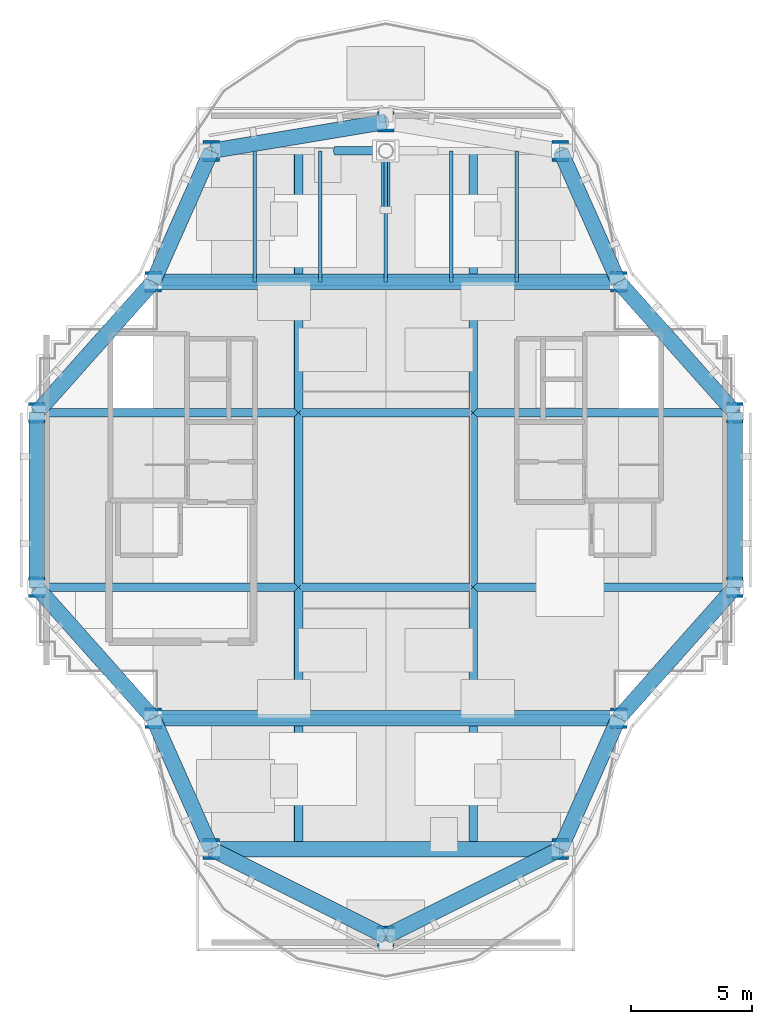
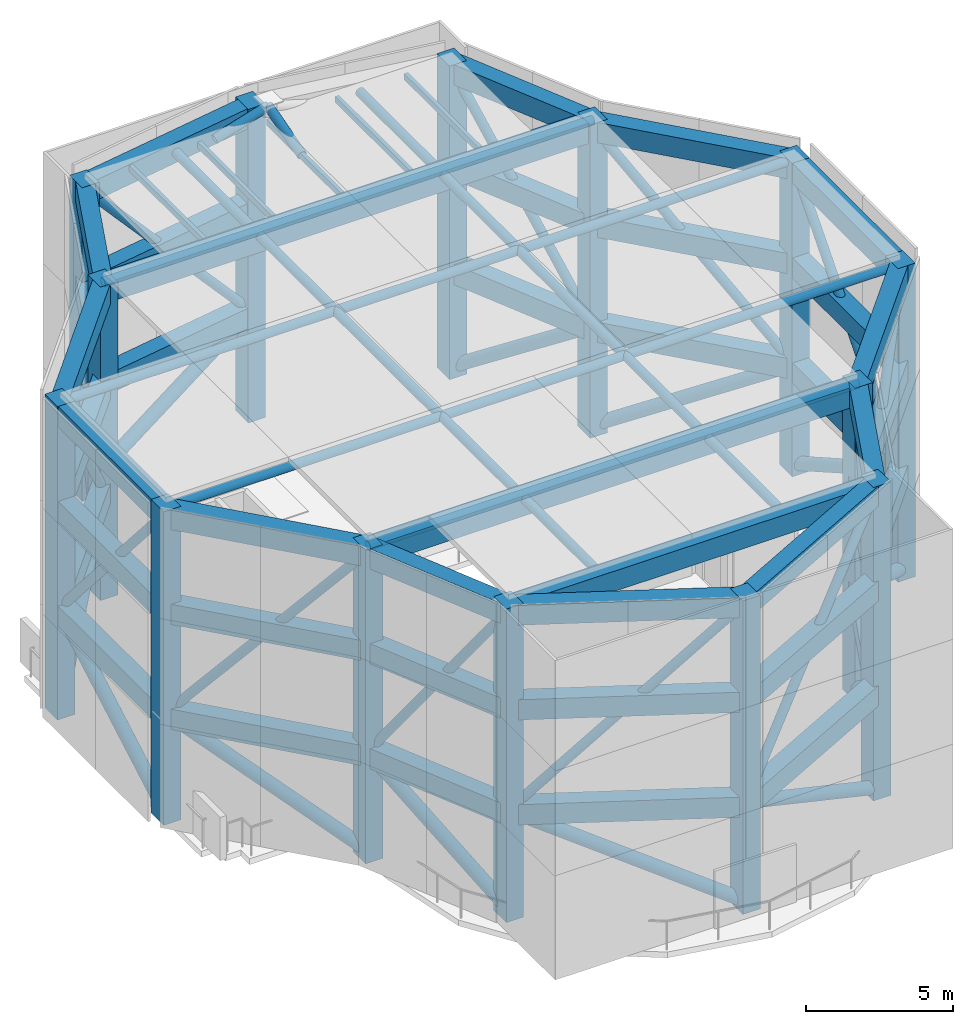
# One storey, part 1 of 8: 42 beams, 39 members, 14 columns.
"""IFC4 building model written with IfcOpenShell, lengths in metres."""

from ifc_helpers import new_model, si_unit, direction, frame, origin, origin_2d, place, context, subcontext, project, spatial, rectangle, hollow_rectangle, hollow_circle, extrude, source, transform, mapped, material, material_profile, profile_set, type_object, element, save


model = new_model("IFC4")

# Units and contexts
model_context = context("Model", 3, precision=1e-05, world=origin(), true_north=direction((0.0, 1.0)))
body_context = subcontext(model_context, "Body", "Model", "MODEL_VIEW")
ifc_project = project(units=[si_unit("LENGTHUNIT", "METRE"), si_unit("AREAUNIT", "SQUARE_METRE"), si_unit("VOLUMEUNIT", "CUBIC_METRE"), si_unit("PLANEANGLEUNIT", "RADIAN"), si_unit("MASSUNIT", "GRAM", prefix="KILO")], contexts=[model_context])

# Site, building, storey
site_placement = place(None, origin())
site = spatial("IfcSite", under=ifc_project, at=site_placement, CompositionType="ELEMENT")
building_placement = place(site_placement, origin())
building = spatial("IfcBuilding", under=site, at=building_placement, Name="Keilestroom Media Tower", CompositionType="ELEMENT")
storey_placement = place(building_placement, frame((0.0, 0.0, 271.60009765625)))
storey = spatial("IfcBuildingStorey", under=building, at=storey_placement, Name="Roof", CompositionType="ELEMENT", Elevation=271.60009765625)

# Columns
ifc_material_1 = material(Name="Precast concrete C40/50", Category="concrete")
ifc_material_profile_1 = material_profile(ifc_material_1, rectangle(XDim=0.679931640625, YDim=0.860107421875, at=origin_2d()), Name="CF 860x680")
ifc_profile_set_1 = profile_set([ifc_material_profile_1], Name="Precast concrete C40/50")
column_type = type_object("IfcColumnType", Name="Crown-Open-Frame-Column-RC-680x860", PredefinedType="PILASTER", material=ifc_profile_set_1)
shared_shape_1 = source(origin(), body_context, "Body", "SweptSolid", [
    extrude(rectangle(XDim=0.679931640625, YDim=0.860107421875, at=origin_2d()), origin(), (0.0, 0.0, 1.0), 13.0),
])
for number, where, z_axis, x_axis, name in (
    (1, (-14.39990234375, -3.60009765625, 0.0), (0.0, 0.0, 1.0), (1.0, 0.0, 0.0), "Crown Frame Post CFC-1 01"),
    (2, (-14.39990234375, 3.60009765625, 0.0), (0.0, 0.0, 1.0), (1.0, 0.0, 0.0), "Crown Frame Post CFC-1 02"),
    (3, (-9.60009765625, 9.0, 0.0), (0.0, 0.0, 1.0), (1.0, 0.0, 0.0), "Crown Frame Post CFC-1 03"),
    (4, (-7.199951171875, 14.39990234375, 0.0), (0.0, 0.0, 1.0), (1.0, 0.0, 0.0), "Crown Frame Post CFC-1 04"),
    (5, (0.0, 15.60009765625, 0.0), (0.0, 0.0, 1.0), (1.0, 0.0, 0.0), "Crown Frame Post CFC-1 05"),
    (6, (7.199951171875, 14.39990234375, 0.0), (0.0, 0.0, 1.0), (1.0, 0.0, 0.0), "Crown Frame Post CFC-1 06"),
    (7, (9.60009765625, 9.0, 0.0), (0.0, 0.0, 1.0), (1.0, 0.0, 0.0), "Crown Frame Post CFC-1 07"),
    (8, (14.39990234375, 3.60009765625, 0.0), (0.0, 0.0, 1.0), (1.0, 0.0, 0.0), "Crown Frame Post CFC-1 08"),
    (9, (14.39990234375, -3.60009765625, 0.0), (0.0, 0.0, 1.0), (1.0, 0.0, 0.0), "Crown Frame Post CFC-1 09"),
    (10, (9.60009765625, -9.0, 0.0), (0.0, 0.0, 1.0), (1.0, 0.0, 0.0), "Crown Frame Post CFC-1 10"),
    (11, (7.199951171875, -14.39990234375, 0.0), (0.0, 0.0, 1.0), (1.0, 0.0, 0.0), "Crown Frame Post CFC-1 11"),
    (12, (0.0, -18.0, 0.0), (0.0, 0.0, 1.0), (1.0, 0.0, 0.0), "Crown Frame Post CFC-1 12"),
    (13, (-7.199951171875, -14.39990234375, 0.0), (0.0, 0.0, 1.0), (1.0, 0.0, 0.0), "Crown Frame Post CFC-1 13"),
    (14, (-9.60009765625, -9.0, 0.0), (0.0, 0.0, 1.0), (1.0, 0.0, 0.0), "Crown Frame Post CFC-1 14"),
):
    element("IfcColumn", number, at=place(storey_placement, frame(where, z_axis=z_axis, x_axis=x_axis)), inside=storey, type_object=column_type, Name=name, PredefinedType="PILASTER", context=body_context, shape_type="MappedRepresentation", body=[
        mapped(shared_shape_1, transform((0.0, 0.0, 0.0), x_axis=(1.0, 0.0, 0.0), y_axis=(0.0, 1.0, 0.0), z_axis=(0.0, 0.0, 1.0), scale=1.0)),
    ])

# Beams
ifc_material_profile_2 = material_profile(ifc_material_1, rectangle(XDim=0.639892578125, YDim=0.840087890625, at=origin_2d()), Name="CF 640x840")
ifc_profile_set_2 = profile_set([ifc_material_profile_2], Name="Precast concrete C40/50")
beam_type = type_object("IfcBeamType", Name="Crown-Open-Frame-Ring-Beam-640x840", PredefinedType="USERDEFINED", material=ifc_profile_set_2)
shared_shape_2 = source(origin(), body_context, "Body", "SweptSolid", [
    extrude(rectangle(XDim=0.639892578125, YDim=0.840087890625, at=origin_2d()), origin(), (0.0, 0.0, 1.0), 19.2001953125),
])
for number, where, z_axis, x_axis, name in (
    (15, (-9.60009765625, 9.0, 12.579833984375), (1.0, 0.0, 0.0), (0.0, 1.0, 0.0), "Crown Frame Roof Tie Beam 01"),
    (16, (-9.60009765625, -9.0, 12.579833984375), (1.0, 0.0, 0.0), (0.0, 1.0, 0.0), "Crown Frame Roof Tie Beam 02"),
):
    element("IfcBeam", number, at=place(storey_placement, frame(where, z_axis=z_axis, x_axis=x_axis)), inside=storey, type_object=beam_type, Name=name, ObjectType="CROWN_RING", PredefinedType="USERDEFINED", context=body_context, shape_type="MappedRepresentation", body=[
        mapped(shared_shape_2, transform((0.0, 0.0, 0.0), x_axis=(1.0, 0.0, 0.0), y_axis=(0.0, 1.0, 0.0), z_axis=(0.0, 0.0, 1.0), scale=1.0)),
    ])
shared_shape_3 = source(origin(), body_context, "Body", "SweptSolid", [
    extrude(rectangle(XDim=0.639892578125, YDim=0.840087890625, at=origin_2d()), origin(), (0.0, 0.0, 1.0), 14.39990234375),
])
beam_placement = place(storey_placement, frame((-7.199951171875, -14.39990234375, 12.579833984375), z_axis=(1.0, 0.0, 0.0), x_axis=(0.0, 1.0, 0.0)))
element("IfcBeam", 17, at=beam_placement, inside=storey, type_object=beam_type, Name="Crown Frame Roof Tie Beam 03", ObjectType="CROWN_RING", PredefinedType="USERDEFINED", context=body_context, shape_type="MappedRepresentation", body=[
    mapped(shared_shape_3, transform((0.0, 0.0, 0.0), x_axis=(1.0, 0.0, 0.0), y_axis=(0.0, 1.0, 0.0), z_axis=(0.0, 0.0, 1.0), scale=1.0)),
])
shared_shape_4 = source(origin(), body_context, "Body", "SweptSolid", [
    extrude(rectangle(XDim=0.639892578125, YDim=0.840087890625, at=origin_2d()), origin(), (0.0, 0.0, 1.0), 7.2001953125),
])
for number, where, z_axis, x_axis, name in (
    (18, (-14.39990234375, -3.60009765625, 4.2998046875), (0.0, 1.0, 0.0), (-1.0, 0.0, 0.0), "Crown Frame Ring Beam MID 01"),
    (19, (-14.39990234375, -3.60009765625, 8.64990234375), (0.0, 1.0, 0.0), (-1.0, 0.0, 0.0), "Crown Frame Ring Beam HI 01"),
    (20, (-14.39990234375, -3.60009765625, 12.579833984375), (0.0, 1.0, 0.0), (-1.0, 0.0, 0.0), "Crown Frame Ring Beam TOP 01"),
    (21, (14.39990234375, 3.60009765625, 4.2998046875), (0.0, -1.0, 0.0), (1.0, 0.0, 0.0), "Crown Frame Ring Beam MID 08"),
    (22, (14.39990234375, 3.60009765625, 8.64990234375), (0.0, -1.0, 0.0), (1.0, 0.0, 0.0), "Crown Frame Ring Beam HI 08"),
    (23, (14.39990234375, 3.60009765625, 12.579833984375), (0.0, -1.0, 0.0), (1.0, 0.0, 0.0), "Crown Frame Ring Beam TOP 08"),
):
    element("IfcBeam", number, at=place(storey_placement, frame(where, z_axis=z_axis, x_axis=x_axis)), inside=storey, type_object=beam_type, Name=name, ObjectType="CROWN_RING", PredefinedType="USERDEFINED", context=body_context, shape_type="MappedRepresentation", body=[
        mapped(shared_shape_4, transform((0.0, 0.0, 0.0), x_axis=(1.0, 0.0, 0.0), y_axis=(0.0, 1.0, 0.0), z_axis=(0.0, 0.0, 1.0), scale=1.0)),
    ])

# Members
ifc_material_2 = material(Name="Steel S460", Category="steel")
ifc_material_profile_3 = material_profile(ifc_material_2, hollow_circle(Radius=0.25390625, WallThickness=0.02001953125, at=origin_2d()), Name="CHS 508x20")
ifc_profile_set_3 = profile_set([ifc_material_profile_3], Name="Steel S460")
member_type_1 = type_object("IfcMemberType", Name="Crown-Strut-And-Mast-Member-Crown-Frame-CHS-508x20", PredefinedType="STRUT", material=ifc_profile_set_3)
shared_shape_5 = source(origin(), body_context, "Body", "SweptSolid", [
    extrude(hollow_circle(Radius=0.25390625, WallThickness=0.02001953125, at=origin_2d()), origin(), (0.0, 0.0, 1.0), 8.28564453125),
])
for number, where, z_axis, x_axis, name in (
    (24, (-14.39990234375, -3.60009765625, 0.199951171875), (0.0, 0.868998265376, 0.494815131916), (-1.0, 0.0, 0.0), "Crown Frame Wind Brace Lower 01"),
    (25, (14.39990234375, 3.60009765625, 0.199951171875), (0.0, -0.868998265376, 0.494815131916), (1.0, 0.0, 0.0), "Crown Frame Wind Brace Lower 08"),
):
    element("IfcMember", number, at=place(storey_placement, frame(where, z_axis=z_axis, x_axis=x_axis)), inside=storey, type_object=member_type_1, Name=name, PredefinedType="STRUT", context=body_context, shape_type="MappedRepresentation", body=[
        mapped(shared_shape_5, transform((0.0, 0.0, 0.0), x_axis=(1.0, 0.0, 0.0), y_axis=(0.0, 1.0, 0.0), z_axis=(0.0, 0.0, 1.0), scale=1.0)),
    ])
ifc_material_3 = material(Name="Steel S355", Category="steel")
ifc_material_profile_4 = material_profile(ifc_material_3, hollow_circle(Radius=0.177734375, WallThickness=0.01416015625, at=origin_2d()), Name="CHS 355.6x14.2")
ifc_profile_set_4 = profile_set([ifc_material_profile_4], Name="Steel S355")
member_type_2 = type_object("IfcMemberType", Name="Crown-Open-Frame-Strut-CHS-355x14", PredefinedType="STRUT", material=ifc_profile_set_4)
shared_shape_6 = source(origin(), body_context, "Body", "SweptSolid", [
    extrude(hollow_circle(Radius=0.177734375, WallThickness=0.01416015625, at=origin_2d()), origin(), (0.0, 0.0, 1.0), 10.97265625),
])
for number, where, z_axis, x_axis, name in (
    (26, (-14.39990234375, 3.60009765625, 4.2998046875), (0.0, -0.656187528531, 0.754597858068), (1.0, 0.0, 0.0), "Crown Frame Wind Strut Upper 01"),
    (27, (14.39990234375, -3.60009765625, 4.2998046875), (0.0, 0.656187528531, 0.754597858068), (-1.0, 0.0, 0.0), "Crown Frame Wind Strut Upper 08"),
):
    element("IfcMember", number, at=place(storey_placement, frame(where, z_axis=z_axis, x_axis=x_axis)), inside=storey, type_object=member_type_2, Name=name, PredefinedType="STRUT", context=body_context, shape_type="MappedRepresentation", body=[
        mapped(shared_shape_6, transform((0.0, 0.0, 0.0), x_axis=(1.0, 0.0, 0.0), y_axis=(0.0, 1.0, 0.0), z_axis=(0.0, 0.0, 1.0), scale=1.0)),
    ])

# Beams
shared_shape_7 = source(origin(), body_context, "Body", "SweptSolid", [
    extrude(rectangle(XDim=0.639892578125, YDim=0.840087890625, at=origin_2d()), origin(), (0.0, 0.0, 1.0), 7.224853515625),
])
for number, where, z_axis, x_axis, name in (
    (28, (-14.39990234375, 3.60009765625, 4.2998046875), (0.66435544899, 0.747416776234, 0.0), (-0.747416776234, 0.66435544899, 0.0), "Crown Frame Ring Beam MID 02"),
    (29, (-14.39990234375, 3.60009765625, 8.64990234375), (0.66435544899, 0.747416776234, 0.0), (-0.747416776234, 0.66435544899, 0.0), "Crown Frame Ring Beam HI 02"),
    (30, (-14.39990234375, 3.60009765625, 12.579833984375), (0.66435544899, 0.747416776234, 0.0), (-0.747416776234, 0.66435544899, 0.0), "Crown Frame Ring Beam TOP 02"),
    (31, (9.60009765625, 9.0, 4.2998046875), (0.66435544899, -0.747416776234, 0.0), (0.747416776234, 0.66435544899, 0.0), "Crown Frame Ring Beam MID 07"),
    (32, (9.60009765625, 9.0, 8.64990234375), (0.66435544899, -0.747416776234, 0.0), (0.747416776234, 0.66435544899, 0.0), "Crown Frame Ring Beam HI 07"),
    (33, (9.60009765625, 9.0, 12.579833984375), (0.66435544899, -0.747416776234, 0.0), (0.747416776234, 0.66435544899, 0.0), "Crown Frame Ring Beam TOP 07"),
    (34, (14.39990234375, -3.60009765625, 4.2998046875), (-0.66435544899, -0.747416776234, 0.0), (0.747416776234, -0.66435544899, 0.0), "Crown Frame Ring Beam MID 09"),
    (35, (14.39990234375, -3.60009765625, 8.64990234375), (-0.66435544899, -0.747416776234, 0.0), (0.747416776234, -0.66435544899, 0.0), "Crown Frame Ring Beam HI 09"),
    (36, (14.39990234375, -3.60009765625, 12.579833984375), (-0.66435544899, -0.747416776234, 0.0), (0.747416776234, -0.66435544899, 0.0), "Crown Frame Ring Beam TOP 09"),
    (37, (-9.60009765625, -9.0, 4.2998046875), (-0.66435544899, 0.747416776234, 0.0), (-0.747416776234, -0.66435544899, 0.0), "Crown Frame Ring Beam MID 14"),
    (38, (-9.60009765625, -9.0, 8.64990234375), (-0.66435544899, 0.747416776234, 0.0), (-0.747416776234, -0.66435544899, 0.0), "Crown Frame Ring Beam HI 14"),
    (39, (-9.60009765625, -9.0, 12.579833984375), (-0.66435544899, 0.747416776234, 0.0), (-0.747416776234, -0.66435544899, 0.0), "Crown Frame Ring Beam TOP 14"),
):
    element("IfcBeam", number, at=place(storey_placement, frame(where, z_axis=z_axis, x_axis=x_axis)), inside=storey, type_object=beam_type, Name=name, ObjectType="CROWN_RING", PredefinedType="USERDEFINED", context=body_context, shape_type="MappedRepresentation", body=[
        mapped(shared_shape_7, transform((0.0, 0.0, 0.0), x_axis=(1.0, 0.0, 0.0), y_axis=(0.0, 1.0, 0.0), z_axis=(0.0, 0.0, 1.0), scale=1.0)),
    ])

# Members
shared_shape_8 = source(origin(), body_context, "Body", "SweptSolid", [
    extrude(hollow_circle(Radius=0.25390625, WallThickness=0.02001953125, at=origin_2d()), origin(), (0.0, 0.0, 1.0), 8.306884765625),
])
for number, where, z_axis, x_axis, name in (
    (40, (-14.39990234375, 3.60009765625, 0.199951171875), (0.577804008176, 0.650044204111, 0.493543372802), (-0.747416776234, 0.66435544899, 0.0), "Crown Frame Wind Brace Lower 02"),
    (41, (9.60009765625, 9.0, 0.199951171875), (0.577804008176, -0.650044204111, 0.493543372802), (0.747416776234, 0.66435544899, 0.0), "Crown Frame Wind Brace Lower 07"),
    (42, (14.39990234375, -3.60009765625, 0.199951171875), (-0.577804008176, -0.650044204111, 0.493543372802), (0.747416776234, -0.66435544899, 0.0), "Crown Frame Wind Brace Lower 09"),
    (43, (-9.60009765625, -9.0, 0.199951171875), (-0.577804008176, 0.650044204111, 0.493543372802), (-0.747416776234, -0.66435544899, 0.0), "Crown Frame Wind Brace Lower 14"),
):
    element("IfcMember", number, at=place(storey_placement, frame(where, z_axis=z_axis, x_axis=x_axis)), inside=storey, type_object=member_type_1, Name=name, PredefinedType="STRUT", context=body_context, shape_type="MappedRepresentation", body=[
        mapped(shared_shape_8, transform((0.0, 0.0, 0.0), x_axis=(1.0, 0.0, 0.0), y_axis=(0.0, 1.0, 0.0), z_axis=(0.0, 0.0, 1.0), scale=1.0)),
    ])
shared_shape_9 = source(origin(), body_context, "Body", "SweptSolid", [
    extrude(hollow_circle(Radius=0.177734375, WallThickness=0.01416015625, at=origin_2d()), origin(), (0.0, 0.0, 1.0), 10.989013671875),
])
for number, where, z_axis, x_axis, name in (
    (44, (-9.60009765625, 9.0, 4.2998046875), (-0.436786579678, -0.491396010647, 0.753490175472), (0.747416776234, -0.66435544899, 0.0), "Crown Frame Wind Strut Upper 02"),
    (45, (14.39990234375, 3.60009765625, 4.2998046875), (-0.436786579678, 0.491396010647, 0.753490175472), (-0.747416776234, -0.66435544899, 0.0), "Crown Frame Wind Strut Upper 07"),
    (46, (9.60009765625, -9.0, 4.2998046875), (0.436786579678, 0.491396010647, 0.753490175472), (-0.747416776234, 0.66435544899, 0.0), "Crown Frame Wind Strut Upper 09"),
    (47, (-14.39990234375, -3.60009765625, 4.2998046875), (0.436786579678, -0.491396010647, 0.753490175472), (0.747416776234, 0.66435544899, 0.0), "Crown Frame Wind Strut Upper 14"),
):
    element("IfcMember", number, at=place(storey_placement, frame(where, z_axis=z_axis, x_axis=x_axis)), inside=storey, type_object=member_type_2, Name=name, PredefinedType="STRUT", context=body_context, shape_type="MappedRepresentation", body=[
        mapped(shared_shape_9, transform((0.0, 0.0, 0.0), x_axis=(1.0, 0.0, 0.0), y_axis=(0.0, 1.0, 0.0), z_axis=(0.0, 0.0, 1.0), scale=1.0)),
    ])

# Beams
shared_shape_10 = source(origin(), body_context, "Body", "SweptSolid", [
    extrude(rectangle(XDim=0.639892578125, YDim=0.840087890625, at=origin_2d()), origin(), (0.0, 0.0, 1.0), 5.9091796875),
])
for number, where, z_axis, x_axis, name in (
    (48, (-9.60009765625, 9.0, 4.2998046875), (0.406165299169, 0.913799622319, 0.0), (-0.913799622319, 0.406165299169, 0.0), "Crown Frame Ring Beam MID 03"),
    (49, (-9.60009765625, 9.0, 8.64990234375), (0.406165299169, 0.913799622319, 0.0), (-0.913799622319, 0.406165299169, 0.0), "Crown Frame Ring Beam HI 03"),
    (50, (-9.60009765625, 9.0, 12.579833984375), (0.406165299169, 0.913799622319, 0.0), (-0.913799622319, 0.406165299169, 0.0), "Crown Frame Ring Beam TOP 03"),
    (51, (7.199951171875, 14.39990234375, 4.2998046875), (0.406165299169, -0.913799622319, 0.0), (0.913799622319, 0.406165299169, 0.0), "Crown Frame Ring Beam MID 06"),
    (52, (7.199951171875, 14.39990234375, 8.64990234375), (0.406165299169, -0.913799622319, 0.0), (0.913799622319, 0.406165299169, 0.0), "Crown Frame Ring Beam HI 06"),
    (53, (7.199951171875, 14.39990234375, 12.579833984375), (0.406165299169, -0.913799622319, 0.0), (0.913799622319, 0.406165299169, 0.0), "Crown Frame Ring Beam TOP 06"),
    (54, (9.60009765625, -9.0, 4.2998046875), (-0.406165299169, -0.913799622319, 0.0), (0.913799622319, -0.406165299169, 0.0), "Crown Frame Ring Beam MID 10"),
    (55, (9.60009765625, -9.0, 8.64990234375), (-0.406165299169, -0.913799622319, 0.0), (0.913799622319, -0.406165299169, 0.0), "Crown Frame Ring Beam HI 10"),
    (56, (9.60009765625, -9.0, 12.579833984375), (-0.406165299169, -0.913799622319, 0.0), (0.913799622319, -0.406165299169, 0.0), "Crown Frame Ring Beam TOP 10"),
    (57, (-7.199951171875, -14.39990234375, 4.2998046875), (-0.406165299169, 0.913799622319, 0.0), (-0.913799622319, -0.406165299169, 0.0), "Crown Frame Ring Beam MID 13"),
    (58, (-7.199951171875, -14.39990234375, 8.64990234375), (-0.406165299169, 0.913799622319, 0.0), (-0.913799622319, -0.406165299169, 0.0), "Crown Frame Ring Beam HI 13"),
    (59, (-7.199951171875, -14.39990234375, 12.579833984375), (-0.406165299169, 0.913799622319, 0.0), (-0.913799622319, -0.406165299169, 0.0), "Crown Frame Ring Beam TOP 13"),
):
    element("IfcBeam", number, at=place(storey_placement, frame(where, z_axis=z_axis, x_axis=x_axis)), inside=storey, type_object=beam_type, Name=name, ObjectType="CROWN_RING", PredefinedType="USERDEFINED", context=body_context, shape_type="MappedRepresentation", body=[
        mapped(shared_shape_10, transform((0.0, 0.0, 0.0), x_axis=(1.0, 0.0, 0.0), y_axis=(0.0, 1.0, 0.0), z_axis=(0.0, 0.0, 1.0), scale=1.0)),
    ])

# Members
shared_shape_11 = source(origin(), body_context, "Body", "SweptSolid", [
    extrude(hollow_circle(Radius=0.25390625, WallThickness=0.02001953125, at=origin_2d()), origin(), (0.0, 0.0, 1.0), 7.192138671875),
])
for number, where, z_axis, x_axis, name in (
    (60, (-9.60009765625, 9.0, 0.199951171875), (0.333712924334, 0.750794676067, 0.57003775184), (-0.913799622319, 0.406165299169, 0.0), "Crown Frame Wind Brace Lower 03"),
    (61, (7.199951171875, 14.39990234375, 0.199951171875), (0.333712924334, -0.750794676067, 0.57003775184), (0.913799622319, 0.406165299169, 0.0), "Crown Frame Wind Brace Lower 06"),
    (62, (9.60009765625, -9.0, 0.199951171875), (-0.333712924334, -0.750794676067, 0.57003775184), (0.913799622319, -0.406165299169, 0.0), "Crown Frame Wind Brace Lower 10"),
    (63, (-7.199951171875, -14.39990234375, 0.199951171875), (-0.333712924334, 0.750794676067, 0.57003775184), (-0.913799622319, -0.406165299169, 0.0), "Crown Frame Wind Brace Lower 13"),
):
    element("IfcMember", number, at=place(storey_placement, frame(where, z_axis=z_axis, x_axis=x_axis)), inside=storey, type_object=member_type_1, Name=name, PredefinedType="STRUT", context=body_context, shape_type="MappedRepresentation", body=[
        mapped(shared_shape_11, transform((0.0, 0.0, 0.0), x_axis=(1.0, 0.0, 0.0), y_axis=(0.0, 1.0, 0.0), z_axis=(0.0, 0.0, 1.0), scale=1.0)),
    ])
shared_shape_12 = source(origin(), body_context, "Body", "SweptSolid", [
    extrude(hollow_circle(Radius=0.177734375, WallThickness=0.01416015625, at=origin_2d()), origin(), (0.0, 0.0, 1.0), 10.17236328125),
])
for number, where, z_axis, x_axis, name in (
    (64, (-7.199951171875, 14.39990234375, 4.2998046875), (-0.235945997886, -0.530836494888, 0.81396689231), (0.913799622319, -0.406165299169, 0.0), "Crown Frame Wind Strut Upper 03"),
    (65, (9.60009765625, 9.0, 4.2998046875), (-0.235945997886, 0.530836494888, 0.81396689231), (-0.913799622319, -0.406165299169, 0.0), "Crown Frame Wind Strut Upper 06"),
    (66, (7.199951171875, -14.39990234375, 4.2998046875), (0.235945997886, 0.530836494888, 0.81396689231), (-0.913799622319, 0.406165299169, 0.0), "Crown Frame Wind Strut Upper 10"),
    (67, (-9.60009765625, -9.0, 4.2998046875), (0.235945997886, -0.530836494888, 0.81396689231), (0.913799622319, 0.406165299169, 0.0), "Crown Frame Wind Strut Upper 13"),
):
    element("IfcMember", number, at=place(storey_placement, frame(where, z_axis=z_axis, x_axis=x_axis)), inside=storey, type_object=member_type_2, Name=name, PredefinedType="STRUT", context=body_context, shape_type="MappedRepresentation", body=[
        mapped(shared_shape_12, transform((0.0, 0.0, 0.0), x_axis=(1.0, 0.0, 0.0), y_axis=(0.0, 1.0, 0.0), z_axis=(0.0, 0.0, 1.0), scale=1.0)),
    ])

# Beams
shared_shape_13 = source(origin(), body_context, "Body", "SweptSolid", [
    extrude(rectangle(XDim=0.639892578125, YDim=0.840087890625, at=origin_2d()), origin(), (0.0, 0.0, 1.0), 7.29931640625),
])
for number, where, z_axis, x_axis, name in (
    (68, (-7.199951171875, 14.39990234375, 4.2998046875), (0.986389403576, 0.16442610654, 0.0), (-0.16442610654, 0.986389403576, 0.0), "Crown Frame Ring Beam MID 04"),
    (69, (-7.199951171875, 14.39990234375, 8.64990234375), (0.986389403576, 0.16442610654, 0.0), (-0.16442610654, 0.986389403576, 0.0), "Crown Frame Ring Beam HI 04"),
    (70, (-7.199951171875, 14.39990234375, 12.579833984375), (0.986389403576, 0.16442610654, 0.0), (-0.16442610654, 0.986389403576, 0.0), "Crown Frame Ring Beam TOP 04"),
):
    element("IfcBeam", number, at=place(storey_placement, frame(where, z_axis=z_axis, x_axis=x_axis)), inside=storey, type_object=beam_type, Name=name, ObjectType="CROWN_RING", PredefinedType="USERDEFINED", context=body_context, shape_type="MappedRepresentation", body=[
        mapped(shared_shape_13, transform((0.0, 0.0, 0.0), x_axis=(1.0, 0.0, 0.0), y_axis=(0.0, 1.0, 0.0), z_axis=(0.0, 0.0, 1.0), scale=1.0)),
    ])

# Members
shared_shape_14 = source(origin(), body_context, "Body", "SweptSolid", [
    extrude(hollow_circle(Radius=0.25390625, WallThickness=0.02001953125, at=origin_2d()), origin(), (0.0, 0.0, 1.0), 8.371826171875),
])
member_1_placement = place(storey_placement, frame((-7.199951171875, 14.39990234375, 0.199951171875), z_axis=(0.860014886037, 0.143360115959, 0.489716523048), x_axis=(-0.16442610654, 0.986389403576, 0.0)))
element("IfcMember", 71, at=member_1_placement, inside=storey, type_object=member_type_1, Name="Crown Frame Wind Brace Lower 04", PredefinedType="STRUT", context=body_context, shape_type="MappedRepresentation", body=[
    mapped(shared_shape_14, transform((0.0, 0.0, 0.0), x_axis=(1.0, 0.0, 0.0), y_axis=(0.0, 1.0, 0.0), z_axis=(0.0, 0.0, 1.0), scale=1.0)),
])
shared_shape_15 = source(origin(), body_context, "Body", "SweptSolid", [
    extrude(hollow_circle(Radius=0.177734375, WallThickness=0.01416015625, at=origin_2d()), origin(), (0.0, 0.0, 1.0), 11.0380859375),
])
member_2_placement = place(storey_placement, frame((0.0, 15.60009765625, 4.2998046875), z_axis=(-0.652284427769, -0.108732503032, 0.750134833263), x_axis=(0.16442610654, -0.986389403576, 0.0)))
element("IfcMember", 72, at=member_2_placement, inside=storey, type_object=member_type_2, Name="Crown Frame Wind Strut Upper 04", PredefinedType="STRUT", context=body_context, shape_type="MappedRepresentation", body=[
    mapped(shared_shape_15, transform((0.0, 0.0, 0.0), x_axis=(1.0, 0.0, 0.0), y_axis=(0.0, 1.0, 0.0), z_axis=(0.0, 0.0, 1.0), scale=1.0)),
])

# Beams
shared_shape_16 = source(origin(), body_context, "Body", "SweptSolid", [
    extrude(rectangle(XDim=0.639892578125, YDim=0.840087890625, at=origin_2d()), origin(), (0.0, 0.0, 1.0), 8.0498046875),
])
for number, where, z_axis, x_axis, name in (
    (73, (7.199951171875, -14.39990234375, 4.2998046875), (-0.894421125195, -0.447225726904, 0.0), (0.447225726904, -0.894421125195, 0.0), "Crown Frame Ring Beam MID 11"),
    (74, (7.199951171875, -14.39990234375, 8.64990234375), (-0.894421125195, -0.447225726904, 0.0), (0.447225726904, -0.894421125195, 0.0), "Crown Frame Ring Beam HI 11"),
    (75, (7.199951171875, -14.39990234375, 12.579833984375), (-0.894421125195, -0.447225726904, 0.0), (0.447225726904, -0.894421125195, 0.0), "Crown Frame Ring Beam TOP 11"),
    (76, (0.0, -18.0, 4.2998046875), (-0.894421125195, 0.447225726904, 0.0), (-0.447225726904, -0.894421125195, 0.0), "Crown Frame Ring Beam MID 12"),
    (77, (0.0, -18.0, 8.64990234375), (-0.894421125195, 0.447225726904, 0.0), (-0.447225726904, -0.894421125195, 0.0), "Crown Frame Ring Beam HI 12"),
    (78, (0.0, -18.0, 12.579833984375), (-0.894421125195, 0.447225726904, 0.0), (-0.447225726904, -0.894421125195, 0.0), "Crown Frame Ring Beam TOP 12"),
):
    element("IfcBeam", number, at=place(storey_placement, frame(where, z_axis=z_axis, x_axis=x_axis)), inside=storey, type_object=beam_type, Name=name, ObjectType="CROWN_RING", PredefinedType="USERDEFINED", context=body_context, shape_type="MappedRepresentation", body=[
        mapped(shared_shape_16, transform((0.0, 0.0, 0.0), x_axis=(1.0, 0.0, 0.0), y_axis=(0.0, 1.0, 0.0), z_axis=(0.0, 0.0, 1.0), scale=1.0)),
    ])

# Members
shared_shape_17 = source(origin(), body_context, "Body", "SweptSolid", [
    extrude(hollow_circle(Radius=0.25390625, WallThickness=0.02001953125, at=origin_2d()), origin(), (0.0, 0.0, 1.0), 9.03369140625),
])
for number, where, z_axis, x_axis, name in (
    (79, (7.199951171875, -14.39990234375, 0.199951171875), (-0.797005022579, -0.398516023972, 0.453836944972), (0.447225726904, -0.894421125195, 0.0), "Crown Frame Wind Brace Lower 11"),
    (80, (0.0, -18.0, 0.199951171875), (-0.797005022579, 0.398516023972, 0.453836944972), (-0.447225726904, -0.894421125195, 0.0), "Crown Frame Wind Brace Lower 12"),
):
    element("IfcMember", number, at=place(storey_placement, frame(where, z_axis=z_axis, x_axis=x_axis)), inside=storey, type_object=member_type_1, Name=name, PredefinedType="STRUT", context=body_context, shape_type="MappedRepresentation", body=[
        mapped(shared_shape_17, transform((0.0, 0.0, 0.0), x_axis=(1.0, 0.0, 0.0), y_axis=(0.0, 1.0, 0.0), z_axis=(0.0, 0.0, 1.0), scale=1.0)),
    ])
shared_shape_18 = source(origin(), body_context, "Body", "SweptSolid", [
    extrude(hollow_circle(Radius=0.177734375, WallThickness=0.01416015625, at=origin_2d()), origin(), (0.0, 0.0, 1.0), 11.548095703125),
])
for number, where, z_axis, x_axis, name in (
    (81, (0.0, -18.0, 4.2998046875), (0.623474324021, 0.311747732597, 0.717002872035), (-0.447225726904, 0.894421125195, 0.0), "Crown Frame Wind Strut Upper 11"),
    (82, (-7.199951171875, -14.39990234375, 4.2998046875), (0.623474324021, -0.311747732597, 0.717002872035), (0.447225726904, 0.894421125195, 0.0), "Crown Frame Wind Strut Upper 12"),
):
    element("IfcMember", number, at=place(storey_placement, frame(where, z_axis=z_axis, x_axis=x_axis)), inside=storey, type_object=member_type_2, Name=name, PredefinedType="STRUT", context=body_context, shape_type="MappedRepresentation", body=[
        mapped(shared_shape_18, transform((0.0, 0.0, 0.0), x_axis=(1.0, 0.0, 0.0), y_axis=(0.0, 1.0, 0.0), z_axis=(0.0, 0.0, 1.0), scale=1.0)),
    ])
shared_shape_19 = source(origin(), body_context, "Body", "SweptSolid", [
    extrude(hollow_circle(Radius=0.177734375, WallThickness=0.01416015625, at=origin_2d()), origin(), (0.0, 0.0, 1.0), 19.2001953125),
])
for number, where, z_axis, x_axis, name in (
    (83, (-9.60009765625, -9.0, 12.822021484375), (1.0, 0.0, 0.0), (0.0, 1.0, 0.0), "Crown Top Louvre Grille Purlin Strut 01"),
    (84, (-9.60009765625, 9.0, 12.822021484375), (1.0, 0.0, 0.0), (0.0, 1.0, 0.0), "Crown Top Louvre Grille Purlin Strut 04"),
):
    element("IfcMember", number, at=place(storey_placement, frame(where, z_axis=z_axis, x_axis=x_axis)), inside=storey, type_object=member_type_2, Name=name, PredefinedType="STRUT", context=body_context, shape_type="MappedRepresentation", body=[
        mapped(shared_shape_19, transform((0.0, 0.0, 0.0), x_axis=(1.0, 0.0, 0.0), y_axis=(0.0, 1.0, 0.0), z_axis=(0.0, 0.0, 1.0), scale=1.0)),
    ])
shared_shape_20 = source(origin(), body_context, "Body", "SweptSolid", [
    extrude(hollow_circle(Radius=0.177734375, WallThickness=0.01416015625, at=origin_2d()), origin(), (0.0, 0.0, 1.0), 28.7998046875),
])
for number, where, z_axis, x_axis, name in (
    (85, (-14.39990234375, -3.60009765625, 12.822021484375), (1.0, 0.0, 0.0), (0.0, 1.0, 0.0), "Crown Top Louvre Grille Purlin Strut 02"),
    (86, (-14.39990234375, 3.60009765625, 12.822021484375), (1.0, 0.0, 0.0), (0.0, 1.0, 0.0), "Crown Top Louvre Grille Purlin Strut 03"),
    (87, (-3.60009765625, -14.39990234375, 12.822021484375), (0.0, 1.0, 0.0), (-1.0, 0.0, 0.0), "Crown Top Louvre Grille Purlin Strut 05"),
    (88, (3.60009765625, -14.39990234375, 12.822021484375), (0.0, 1.0, 0.0), (-1.0, 0.0, 0.0), "Crown Top Louvre Grille Purlin Strut 06"),
):
    element("IfcMember", number, at=place(storey_placement, frame(where, z_axis=z_axis, x_axis=x_axis)), inside=storey, type_object=member_type_2, Name=name, PredefinedType="STRUT", context=body_context, shape_type="MappedRepresentation", body=[
        mapped(shared_shape_20, transform((0.0, 0.0, 0.0), x_axis=(1.0, 0.0, 0.0), y_axis=(0.0, 1.0, 0.0), z_axis=(0.0, 0.0, 1.0), scale=1.0)),
    ])
ifc_material_profile_5 = material_profile(ifc_material_3, hollow_rectangle(XDim=0.14990234375, YDim=0.25, WallThickness=0.010009765625, at=origin_2d()), Name="RHS 250x150x10")
ifc_profile_set_5 = profile_set([ifc_material_profile_5], Name="Steel S355")
member_type_3 = type_object("IfcMemberType", Name="Atrium-Skylight-Rafter-RHS-250x150x10", PredefinedType="RAFTER", material=ifc_profile_set_5)
shared_shape_21 = source(origin(), body_context, "Body", "SweptSolid", [
    extrude(hollow_rectangle(XDim=0.14990234375, YDim=0.25, WallThickness=0.010009765625, at=origin_2d()), origin(), (0.0, 0.0, 1.0), 5.39990234375),
])
for number, where, z_axis, x_axis, name in (
    (89, (-5.39990234375, 9.0, 12.849853515625), (0.0, 1.0, 0.0), (-1.0, 0.0, 0.0), "Crown Louvre Cap Purlin Rafter SKR-3 01"),
    (90, (-2.699951171875, 9.0, 12.849853515625), (0.0, 1.0, 0.0), (-1.0, 0.0, 0.0), "Crown Louvre Cap Purlin Rafter SKR-3 02"),
    (91, (0.0, 9.0, 12.849853515625), (0.0, 1.0, 0.0), (-1.0, 0.0, 0.0), "Crown Louvre Cap Purlin Rafter SKR-3 03"),
    (92, (2.699951171875, 9.0, 12.849853515625), (0.0, 1.0, 0.0), (-1.0, 0.0, 0.0), "Crown Louvre Cap Purlin Rafter SKR-3 04"),
    (93, (5.39990234375, 9.0, 12.849853515625), (0.0, 1.0, 0.0), (-1.0, 0.0, 0.0), "Crown Louvre Cap Purlin Rafter SKR-3 05"),
):
    element("IfcMember", number, at=place(storey_placement, frame(where, z_axis=z_axis, x_axis=x_axis)), inside=storey, type_object=member_type_3, Name=name, PredefinedType="RAFTER", context=body_context, shape_type="MappedRepresentation", body=[
        mapped(shared_shape_21, transform((0.0, 0.0, 0.0), x_axis=(1.0, 0.0, 0.0), y_axis=(0.0, 1.0, 0.0), z_axis=(0.0, 0.0, 1.0), scale=1.0)),
    ])
shared_shape_22 = source(origin(), body_context, "Body", "SweptSolid", [
    extrude(hollow_circle(Radius=0.177734375, WallThickness=0.01416015625, at=origin_2d()), origin(), (0.0, 0.0, 1.0), 2.198486328125),
])
member_3_placement = place(storey_placement, frame((-2.10009765625, 14.39990234375, 12.849853515625), z_axis=(0.955270952292, 0.0, 0.295731986277), x_axis=(0.0, 1.0, 0.0)))
element("IfcMember", 94, at=member_3_placement, inside=storey, type_object=member_type_2, Name="Broadcast Mast Guy Strut 1", PredefinedType="STRUT", context=body_context, shape_type="MappedRepresentation", body=[
    mapped(shared_shape_22, transform((0.0, 0.0, 0.0), x_axis=(1.0, 0.0, 0.0), y_axis=(0.0, 1.0, 0.0), z_axis=(0.0, 0.0, 1.0), scale=1.0)),
])
shared_shape_23 = source(origin(), body_context, "Body", "SweptSolid", [
    extrude(hollow_circle(Radius=0.177734375, WallThickness=0.01416015625, at=origin_2d()), origin(), (0.0, 0.0, 1.0), 2.389892578125),
])
member_4_placement = place(storey_placement, frame((0.0, 12.10009765625, 12.849853515625), z_axis=(0.0, 0.962287315077, 0.272035150748), x_axis=(-1.0, 0.0, 0.0)))
element("IfcMember", 95, at=member_4_placement, inside=storey, type_object=member_type_2, Name="Broadcast Mast Guy Strut 3", PredefinedType="STRUT", context=body_context, shape_type="MappedRepresentation", body=[
    mapped(shared_shape_23, transform((0.0, 0.0, 0.0), x_axis=(1.0, 0.0, 0.0), y_axis=(0.0, 1.0, 0.0), z_axis=(0.0, 0.0, 1.0), scale=1.0)),
])

save(model, "model.ifc")
